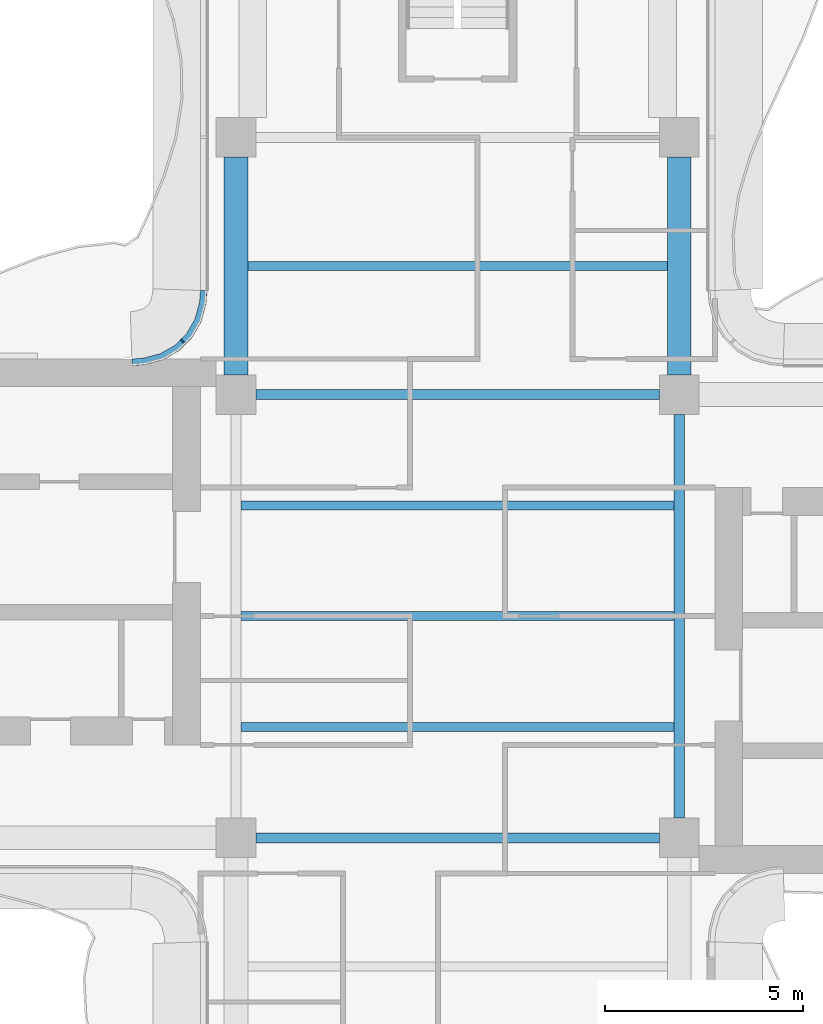
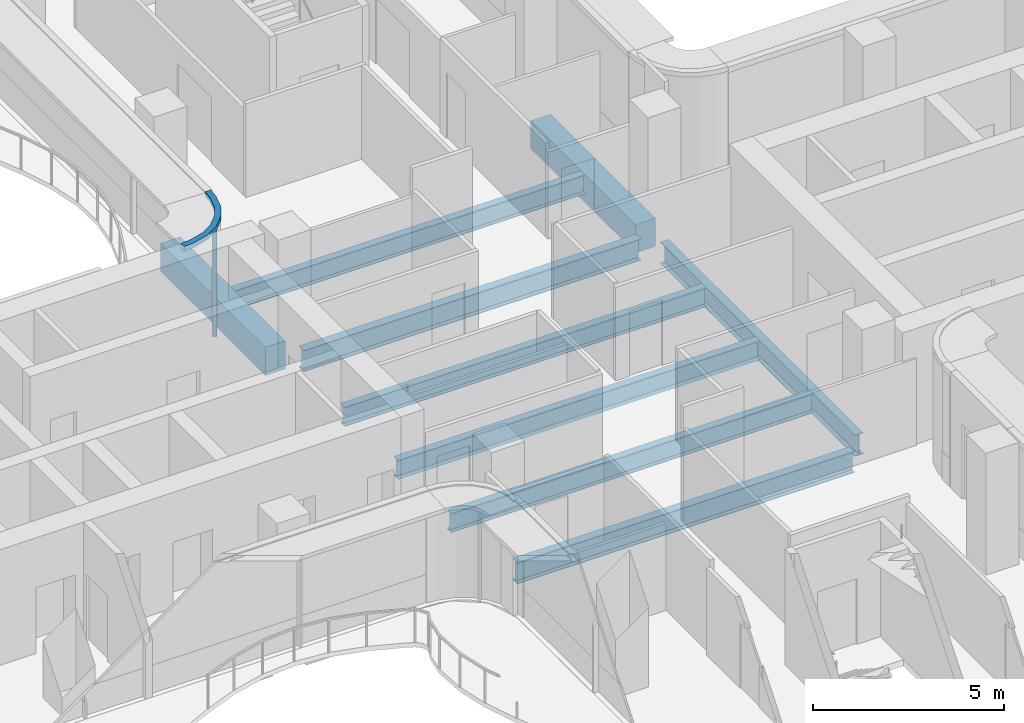
# One storey, part 4 of 17: 9 beams, 2 members, 1 element without a shape of its own.
"""IFC4 building model written with IfcOpenShell, lengths in metres."""

from ifc_helpers import new_model, si_unit, direction, frame, origin, origin_2d, place, context, subcontext, project, spatial, polyline, rectangle, i_section, outline, extrude, source, transform, mapped, material, layer, layer_set, material_profile, profile_set, type_object, element, aggregate, save


model = new_model("IFC4")

# Units and contexts
model_context = context("Model", 3, precision=1e-05, world=origin(), true_north=direction((0.0, 1.0)))
body_context = subcontext(model_context, "Body", "Model", "MODEL_VIEW")
ifc_project = project(units=[si_unit("LENGTHUNIT", "METRE"), si_unit("AREAUNIT", "SQUARE_METRE"), si_unit("VOLUMEUNIT", "CUBIC_METRE"), si_unit("PLANEANGLEUNIT", "RADIAN"), si_unit("MASSUNIT", "GRAM", prefix="KILO")], contexts=[model_context])

# Site, building, storey
site_placement = place(None, origin())
site = spatial("IfcSite", under=ifc_project, at=site_placement, CompositionType="ELEMENT")
building_placement = place(site_placement, origin())
building = spatial("IfcBuilding", under=site, at=building_placement, Name="Trellis Farm Tower", CompositionType="ELEMENT")
storey_placement = place(building_placement, frame((0.0, 0.0, 283.300048828125)))
storey = spatial("IfcBuildingStorey", under=building, at=storey_placement, Name="L63", CompositionType="ELEMENT", Elevation=283.300048828125)

# Beams
ifc_material_1 = material(Name="Steel S355", Category="steel")
ifc_material_profile_1 = material_profile(ifc_material_1, i_section(OverallWidth=0.22900390625, OverallDepth=0.6123046875, WebThickness=0.011962890625, FlangeThickness=0.01953125, FilletRadius=0.0126953125, at=origin_2d()), Name="UB 610x229x125")
ifc_profile_set_1 = profile_set([ifc_material_profile_1], Name="Steel S355")
beam_type_1 = type_object("IfcBeamType", Name="UB 610x229x125 joist", PredefinedType="JOIST", material=ifc_profile_set_1)
shared_shape_1 = source(origin(), body_context, "Body", "SweptSolid", [
    extrude(i_section(OverallWidth=0.22900390625, OverallDepth=0.6123046875, WebThickness=0.011962890625, FlangeThickness=0.01953125, FilletRadius=0.0126953125, at=origin_2d()), origin(), (0.0, 0.0, 1.0), 10.9462890625),
])
for number, where, z_axis, x_axis, name in (
    (1, (-5.47314453125, -2.800048828125, -0.506103515625), (1.0, 0.0, 0.0), (0.0, 1.0, 0.0), "Floor beam"),
    (2, (-5.47314453125, 0.0, -0.506103515625), (1.0, 0.0, 0.0), (0.0, 1.0, 0.0), "Floor beam"),
    (3, (-5.47314453125, 2.800048828125, -0.506103515625), (1.0, 0.0, 0.0), (0.0, 1.0, 0.0), "Floor beam"),
):
    element("IfcBeam", number, at=place(storey_placement, frame(where, z_axis=z_axis, x_axis=x_axis)), inside=storey, type_object=beam_type_1, Name=name, PredefinedType="JOIST", context=body_context, shape_type="MappedRepresentation", body=[
        mapped(shared_shape_1, transform((0.0, 0.0, 0.0))),
    ])
shared_shape_2 = source(origin(), body_context, "Body", "SweptSolid", [
    extrude(i_section(OverallWidth=0.22900390625, OverallDepth=0.6123046875, WebThickness=0.011962890625, FlangeThickness=0.01953125, FilletRadius=0.0126953125, at=origin_2d()), origin(), (0.0, 0.0, 1.0), 10.60009765625),
])
beam_placement = place(storey_placement, frame((-5.300048828125, 8.85009765625, -0.506103515625), z_axis=(1.0, 0.0, 0.0), x_axis=(0.0, 1.0, 0.0)))
element("IfcBeam", 4, at=beam_placement, inside=storey, type_object=beam_type_1, Name="Floor beam", PredefinedType="JOIST", context=body_context, shape_type="MappedRepresentation", body=[
    mapped(shared_shape_2, transform((0.0, 0.0, 0.0))),
])
ifc_material_profile_2 = material_profile(ifc_material_1, i_section(OverallWidth=0.253662109375, OverallDepth=0.68359375, WebThickness=0.012451171875, FlangeThickness=0.021728515625, FilletRadius=0.01513671875, at=origin_2d()), Name="UB 686x254x140")
ifc_profile_set_2 = profile_set([ifc_material_profile_2], Name="Steel S355")
beam_type_2 = type_object("IfcBeamType", Name="UB 686x254x140", PredefinedType="BEAM", material=ifc_profile_set_2)
shared_shape_3 = source(origin(), body_context, "Body", "SweptSolid", [
    extrude(i_section(OverallWidth=0.253662109375, OverallDepth=0.68359375, WebThickness=0.012451171875, FlangeThickness=0.021728515625, FilletRadius=0.01513671875, at=origin_2d()), origin(), (0.0, 0.0, 1.0), 10.2001953125),
])
for number, where, z_axis, x_axis, name in (
    (5, (-5.10009765625, -5.60009765625, -0.541748046875), (1.0, 0.0, 0.0), (0.0, 1.0, 0.0), "Girder"),
    (6, (-5.10009765625, 5.60009765625, -0.541748046875), (1.0, 0.0, 0.0), (0.0, 1.0, 0.0), "Girder"),
    (7, (5.60009765625, -5.10009765625, -0.541748046875), (0.0, 1.0, 0.0), (-1.0, 0.0, 0.0), "Girder"),
):
    element("IfcBeam", number, at=place(storey_placement, frame(where, z_axis=z_axis, x_axis=x_axis)), inside=storey, type_object=beam_type_2, Name=name, PredefinedType="BEAM", context=body_context, shape_type="MappedRepresentation", body=[
        mapped(shared_shape_3, transform((0.0, 0.0, 0.0))),
    ])
ifc_material_2 = material(Name="Concrete C60/75", Category="concrete")
ifc_material_profile_3 = material_profile(ifc_material_2, rectangle(XDim=0.60009765625, YDim=0.89990234375, at=origin_2d()), Name="RC spandrel beam 600x900 C60/75")
ifc_profile_set_3 = profile_set([ifc_material_profile_3], Name="Concrete C60/75")
beam_type_3 = type_object("IfcBeamType", Name="RC spandrel beam 600x900 C60/75", PredefinedType="SPANDREL", material=ifc_profile_set_3)
shared_shape_4 = source(origin(), body_context, "Body", "SweptSolid", [
    extrude(rectangle(XDim=0.60009765625, YDim=0.89990234375, at=origin_2d()), origin(), (0.0, 0.0, 1.0), 5.5),
])
for number, where, z_axis, x_axis, name in (
    (8, (-5.60009765625, 6.10009765625, -0.650146484375), (0.0, 1.0, 0.0), (-1.0, 0.0, 0.0), "Girder"),
    (9, (5.60009765625, 6.10009765625, -0.650146484375), (0.0, 1.0, 0.0), (-1.0, 0.0, 0.0), "Girder"),
):
    element("IfcBeam", number, at=place(storey_placement, frame(where, z_axis=z_axis, x_axis=x_axis)), inside=storey, type_object=beam_type_3, Name=name, PredefinedType="SPANDREL", context=body_context, shape_type="MappedRepresentation", body=[
        mapped(shared_shape_4, transform((0.0, 0.0, 0.0))),
    ])

# Curtain wall, members
ifc_material_3 = material(Name="Aluminium and glass curtain wall", Category="aluminium")
ifc_layer_1 = layer(ifc_material_3, 0.166015625)
ifc_layer_set_1 = layer_set([ifc_layer_1], Name="WINTER GARDEN CURTAIN WALL CW3")
curtain_wall_type = type_object("IfcCurtainWallType", Name="WINTER GARDEN CURTAIN WALL CW3", PredefinedType="NOTDEFINED", material=ifc_layer_set_1)
curtain_wall_placement = place(storey_placement, origin())
curtain_wall = element("IfcCurtainWall", 10, at=curtain_wall_placement, inside=storey, type_object=curtain_wall_type, Name="CW3 004", PredefinedType="NOTDEFINED")
ifc_material_4 = material(Name="Aluminium extrusion 6063-T6", Category="aluminium")
ifc_layer_2 = layer(ifc_material_4, 0.169921875)
ifc_layer_set_2 = layer_set([ifc_layer_2], Name="Aluminium extrusion 6063-T6")
member_type_1 = type_object("IfcMemberType", Name="CW3 TRANSOM 170x150", PredefinedType="USERDEFINED", material=ifc_layer_set_2)
shared_shape_5 = source(origin(), body_context, "Body", "SweptSolid", [
    extrude(outline(polyline([(-6.5, 8.2314453125), (-6.513916015625, 8.01953125), (-6.527587890625, 7.91552734375), (-6.63671875, 7.508544921875), (-6.846923828125, 7.144287109375), (-7.144287109375, 6.846923828125), (-7.508544921875, 6.63671875), (-7.91552734375, 6.527587890625), (-8.01953125, 6.513916015625), (-8.2314453125, 6.5), (-8.225830078125, 6.330078125), (-8.0029296875, 6.3447265625), (-7.88232421875, 6.360595703125), (-7.44287109375, 6.478271484375), (-7.0400390625, 6.7109375), (-6.7109375, 7.0400390625), (-6.478271484375, 7.44287109375), (-6.360595703125, 7.88232421875), (-6.3447265625, 8.0029296875), (-6.330078125, 8.225830078125), (-6.5, 8.2314453125)])), origin(), (0.0, 0.0, 1.0), 0.14990234375),
])
member_1_placement = place(storey_placement, frame((0.0, 0.0, 3.550048828125)))
member_1 = element("IfcMember", 11, at=member_1_placement, type_object=member_type_1, Name="TR3 004", ObjectType="TRANSOM", PredefinedType="USERDEFINED", context=body_context, shape_type="MappedRepresentation", body=[
    mapped(shared_shape_5, transform((0.0, 0.0, 0.0))),
])
ifc_material_profile_4 = material_profile(ifc_material_4, rectangle(XDim=0.050048828125, YDim=0.1201171875, at=origin_2d()), Name="MULLION 50x120")
ifc_profile_set_4 = profile_set([ifc_material_profile_4], Name="Aluminium extrusion 6063-T6")
member_type_2 = type_object("IfcMemberType", Name="CW3 MULLION 50x120", PredefinedType="MULLION", material=ifc_profile_set_4)
shared_shape_6 = source(origin(), body_context, "Body", "SweptSolid", [
    extrude(rectangle(XDim=0.050048828125, YDim=0.1201171875, at=origin_2d()), origin(), (0.0, 0.0, 1.0), 3.550048828125),
])
member_2_placement = place(storey_placement, frame((-6.953125, 6.953125, 0.0), z_axis=(0.0, 0.0, 1.0), x_axis=(-0.707106781187, -0.707106781187, 0.0)))
member_2 = element("IfcMember", 12, at=member_2_placement, type_object=member_type_2, Name="MU3 004-01", PredefinedType="MULLION", context=body_context, shape_type="MappedRepresentation", body=[
    mapped(shared_shape_6, transform((0.0, 0.0, 0.0))),
])
aggregate(curtain_wall, [member_2, member_1])

save(model, "model.ifc")
